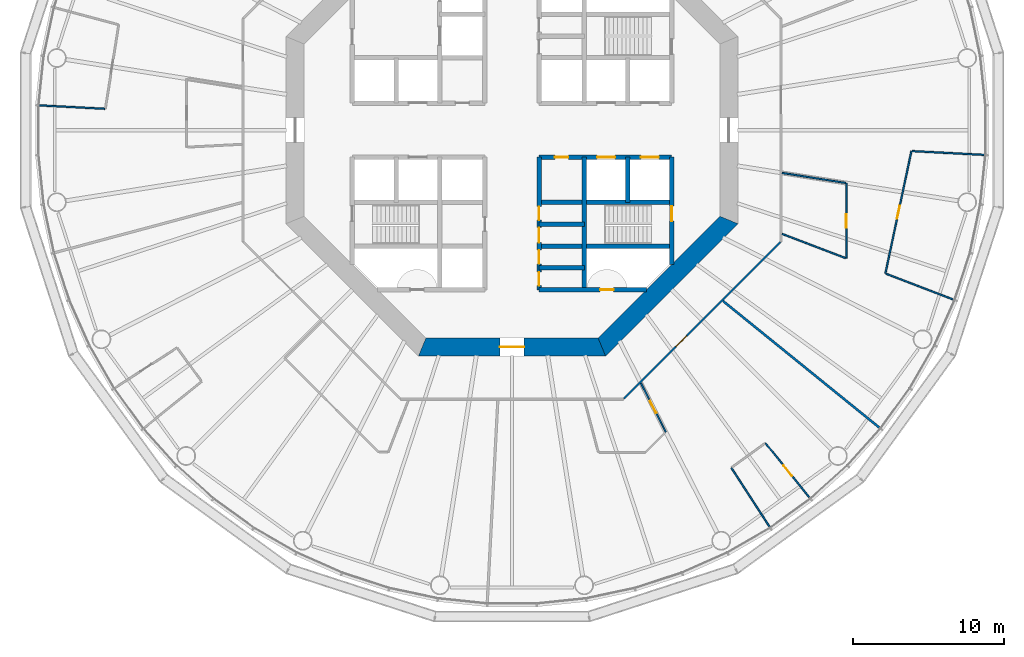
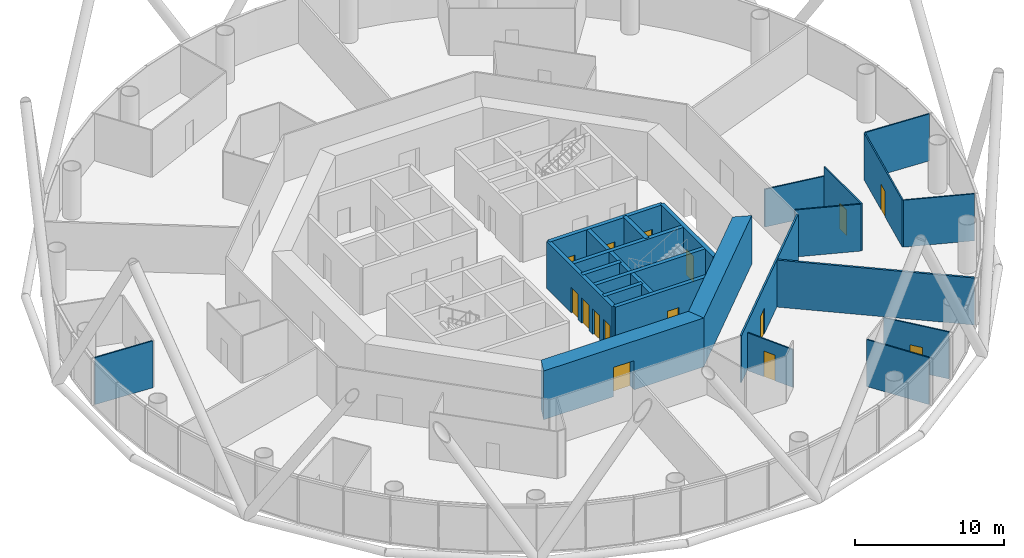
# One storey, part 4 of 14: 24 walls, 15 doors, 15 openings.
"""IFC4 building model written with IfcOpenShell, lengths in metres."""

from ifc_helpers import new_model, si_unit, direction, frame, frame_2d, origin, place, context, subcontext, project, spatial, polyline, rectangle, outline, extrude, material, layer, layer_set, type_object, element, fill, save


model = new_model("IFC4")

# Units and contexts
model_context = context("Model", 3, precision=1e-05, world=origin(), true_north=direction((0.0, 1.0)))
body_context = subcontext(model_context, "Body", "Model", "MODEL_VIEW")
ifc_project = project(units=[si_unit("LENGTHUNIT", "METRE"), si_unit("AREAUNIT", "SQUARE_METRE"), si_unit("VOLUMEUNIT", "CUBIC_METRE"), si_unit("PLANEANGLEUNIT", "RADIAN"), si_unit("MASSUNIT", "GRAM", prefix="KILO")], contexts=[model_context])

# Site, building, storey
site_placement = place(None, origin())
site = spatial("IfcSite", under=ifc_project, at=site_placement, CompositionType="ELEMENT")
building_placement = place(site_placement, origin())
building = spatial("IfcBuilding", under=site, at=building_placement, Name="Entoto Ring Tower", CompositionType="ELEMENT")
storey_placement = place(building_placement, frame((0.0, 0.0, 80.0)))
storey = spatial("IfcBuildingStorey", under=building, at=storey_placement, Name="L17", CompositionType="ELEMENT", Elevation=80.0)

# Wall, opening, door
ifc_material_1 = material(Name="Concrete C40/50", Category="concrete")
ifc_layer_1 = layer(ifc_material_1, 0.300048828125)
ifc_layer_set_1 = layer_set([ifc_layer_1], Name="Concrete C40/50")
wall_type_1 = type_object("IfcWallType", Name="Core enclosure wall 300 mm reinforced concrete", PredefinedType="SOLIDWALL", material=ifc_layer_set_1)
wall_1_placement = place(storey_placement, frame((100.60009765625, 71.083984375, 0.0), z_axis=(0.0, 0.0, 1.0), x_axis=(0.0, 1.0, 0.0)))
wall_1 = element("IfcWall", 1, at=wall_1_placement, inside=storey, type_object=wall_type_1, Name="wall-L17-001", PredefinedType="SOLIDWALL", context=body_context, shape_type="SweptSolid", body=[
    extrude(rectangle(XDim=7.115966796875, YDim=0.300048828125, at=frame_2d((3.55810546875, 0.0))), origin(), (0.0, 0.0, 1.0), 3.85009765625),
])
opening_1_placement = place(wall_1_placement, frame((2.8662109375, 0.0, 0.0)))
opening_1 = element("IfcOpeningElement", 2, at=opening_1_placement, cuts=wall_1, Name="Opening K-22", PredefinedType="OPENING", context=body_context, shape_type="SweptSolid", body=[
    extrude(rectangle(XDim=1.0, YDim=2.10009765625, at=frame_2d((0.5, 1.050048828125))), frame((0.0, 0.16015625, 0.0), z_axis=(0.0, -1.0, 0.0), x_axis=(1.0, 0.0, 0.0)), (0.0, 0.0, 1.0), 0.320068359375),
])
ifc_material_2 = material(Name="Steel door leaf, fire rated", Category="steel")
ifc_layer_2 = layer(ifc_material_2, 0.050048828125)
ifc_layer_set_2 = layer_set([ifc_layer_2], Name="Steel door leaf, fire rated")
door_type_1 = type_object("IfcDoorType", Name="Fire door FD60 1000 x 2100 single leaf", OperationType="NOTDEFINED", PredefinedType="DOOR", material=ifc_layer_set_2)
door_1_placement = place(opening_1_placement, origin())
door_1 = element("IfcDoor", 3, at=door_1_placement, inside=storey, type_object=door_type_1, Name="Door K-22", OperationType="SINGLE_SWING_RIGHT", OverallHeight=2.10009765625, OverallWidth=1.0, PredefinedType="DOOR", context=body_context, shape_type="SweptSolid", body=[
    extrude(rectangle(XDim=1.0, YDim=2.10009765625, at=frame_2d((0.5, 1.050048828125))), frame((0.0, 0.02490234375, 0.0), z_axis=(0.0, -1.0, 0.0), x_axis=(1.0, 0.0, 0.0)), (0.0, 0.0, 1.0), 0.050048828125),
])
fill(opening_1, door_1)

# Walls
wall_2_placement = place(storey_placement, frame((97.699951171875, 75.199951171875, 0.0), z_axis=(0.0, 0.0, 1.0), x_axis=(0.0, 1.0, 0.0)))
element("IfcWall", 4, at=wall_2_placement, inside=storey, type_object=wall_type_1, Name="wall-L17-003", PredefinedType="SOLIDWALL", context=body_context, shape_type="SweptSolid", body=[
    extrude(rectangle(XDim=3.0, YDim=0.300048828125, at=frame_2d((1.5, 0.0))), origin(), (0.0, 0.0, 1.0), 3.85009765625),
])
wall_3_placement = place(storey_placement, frame((94.800048828125, 69.39990234375, 0.0), z_axis=(0.0, 0.0, 1.0), x_axis=(0.0, 1.0, 0.0)))
element("IfcWall", 5, at=wall_3_placement, inside=storey, type_object=wall_type_1, Name="wall-L17-005", PredefinedType="SOLIDWALL", context=body_context, shape_type="SweptSolid", body=[
    extrude(rectangle(XDim=8.800048828125, YDim=0.300048828125, at=frame_2d((4.39990234375, 0.0))), origin(), (0.0, 0.0, 1.0), 3.85009765625),
])

# Wall, openings, doors
wall_4_placement = place(storey_placement, frame((91.800048828125, 69.39990234375, 0.0), z_axis=(0.0, 0.0, 1.0), x_axis=(0.0, 1.0, 0.0)))
wall_4 = element("IfcWall", 6, at=wall_4_placement, inside=storey, type_object=wall_type_1, Name="wall-L17-007", PredefinedType="SOLIDWALL", context=body_context, shape_type="SweptSolid", body=[
    extrude(rectangle(XDim=8.800048828125, YDim=0.300048828125, at=frame_2d((4.39990234375, 0.0))), origin(), (0.0, 0.0, 1.0), 3.85009765625),
])
opening_2_placement = place(wall_4_placement, frame((3.125, 0.0, 0.0)))
opening_2 = element("IfcOpeningElement", 7, at=opening_2_placement, cuts=wall_4, Name="Opening K-13", PredefinedType="OPENING", context=body_context, shape_type="SweptSolid", body=[
    extrude(rectangle(XDim=1.0, YDim=2.10009765625, at=frame_2d((0.5, 1.050048828125))), frame((0.0, 0.16015625, 0.0), z_axis=(0.0, -1.0, 0.0), x_axis=(1.0, 0.0, 0.0)), (0.0, 0.0, 1.0), 0.320068359375),
])
opening_3_placement = place(wall_4_placement, frame((4.625, 0.0, 0.0)))
opening_3 = element("IfcOpeningElement", 8, at=opening_3_placement, cuts=wall_4, Name="Opening K-14", PredefinedType="OPENING", context=body_context, shape_type="SweptSolid", body=[
    extrude(rectangle(XDim=0.89990234375, YDim=2.10009765625, at=frame_2d((0.449951171875, 1.050048828125))), frame((0.0, 0.16015625, 0.0), z_axis=(0.0, -1.0, 0.0), x_axis=(1.0, 0.0, 0.0)), (0.0, 0.0, 1.0), 0.320068359375),
])
opening_4_placement = place(wall_4_placement, frame((0.27490234375, 0.0, 0.0)))
opening_4 = element("IfcOpeningElement", 9, at=opening_4_placement, cuts=wall_4, Name="Opening K-15", PredefinedType="OPENING", context=body_context, shape_type="SweptSolid", body=[
    extrude(rectangle(XDim=0.89990234375, YDim=2.10009765625, at=frame_2d((0.449951171875, 1.050048828125))), frame((0.0, 0.16015625, 0.0), z_axis=(0.0, -1.0, 0.0), x_axis=(1.0, 0.0, 0.0)), (0.0, 0.0, 1.0), 0.320068359375),
])
opening_5_placement = place(wall_4_placement, frame((1.72509765625, 0.0, 0.0)))
opening_5 = element("IfcOpeningElement", 10, at=opening_5_placement, cuts=wall_4, Name="Opening K-16", PredefinedType="OPENING", context=body_context, shape_type="SweptSolid", body=[
    extrude(rectangle(XDim=0.89990234375, YDim=2.10009765625, at=frame_2d((0.449951171875, 1.050048828125))), frame((0.0, 0.16015625, 0.0), z_axis=(0.0, -1.0, 0.0), x_axis=(1.0, 0.0, 0.0)), (0.0, 0.0, 1.0), 0.320068359375),
])
ifc_material_3 = material(Name="Steel door leaf, fire rated", Category="steel")
ifc_layer_3 = layer(ifc_material_3, 0.050048828125)
ifc_layer_set_3 = layer_set([ifc_layer_3], Name="Steel door leaf, fire rated")
door_type_2 = type_object("IfcDoorType", Name="Accessible door 1000 x 2100 single leaf", OperationType="NOTDEFINED", PredefinedType="DOOR", material=ifc_layer_set_3)
door_2_placement = place(opening_2_placement, frame((1.0, 0.0, 0.0), z_axis=(0.0, 0.0, 1.0), x_axis=(-1.0, 0.0, 0.0)))
door_2 = element("IfcDoor", 11, at=door_2_placement, inside=storey, type_object=door_type_2, Name="Door K-13", OperationType="SINGLE_SWING_LEFT", OverallHeight=2.10009765625, OverallWidth=1.0, PredefinedType="DOOR", context=body_context, shape_type="SweptSolid", body=[
    extrude(rectangle(XDim=1.0, YDim=2.10009765625, at=frame_2d((0.5, 1.050048828125))), frame((0.0, 0.02490234375, 0.0), z_axis=(0.0, -1.0, 0.0), x_axis=(1.0, 0.0, 0.0)), (0.0, 0.0, 1.0), 0.050048828125),
])
fill(opening_2, door_2)
ifc_material_4 = material(Name="Steel door leaf, fire rated", Category="steel")
ifc_layer_4 = layer(ifc_material_4, 0.050048828125)
ifc_layer_set_4 = layer_set([ifc_layer_4], Name="Steel door leaf, fire rated")
door_type_3 = type_object("IfcDoorType", Name="Core door 900 x 2100 single leaf", OperationType="NOTDEFINED", PredefinedType="DOOR", material=ifc_layer_set_4)
door_3_placement = place(opening_3_placement, frame((0.89990234375, 0.0, 0.0), z_axis=(0.0, 0.0, 1.0), x_axis=(-1.0, 0.0, 0.0)))
door_3 = element("IfcDoor", 12, at=door_3_placement, inside=storey, type_object=door_type_3, Name="Door K-14", OperationType="SINGLE_SWING_LEFT", OverallHeight=2.10009765625, OverallWidth=0.89990234375, PredefinedType="DOOR", context=body_context, shape_type="SweptSolid", body=[
    extrude(rectangle(XDim=0.89990234375, YDim=2.10009765625, at=frame_2d((0.449951171875, 1.050048828125))), frame((0.0, 0.02490234375, 0.0), z_axis=(0.0, -1.0, 0.0), x_axis=(1.0, 0.0, 0.0)), (0.0, 0.0, 1.0), 0.050048828125),
])
fill(opening_3, door_3)
door_4_placement = place(opening_4_placement, frame((0.89990234375, 0.0, 0.0), z_axis=(0.0, 0.0, 1.0), x_axis=(-1.0, 0.0, 0.0)))
door_4 = element("IfcDoor", 13, at=door_4_placement, inside=storey, type_object=door_type_3, Name="Door K-15", OperationType="SINGLE_SWING_LEFT", OverallHeight=2.10009765625, OverallWidth=0.89990234375, PredefinedType="DOOR", context=body_context, shape_type="SweptSolid", body=[
    extrude(rectangle(XDim=0.89990234375, YDim=2.10009765625, at=frame_2d((0.449951171875, 1.050048828125))), frame((0.0, 0.02490234375, 0.0), z_axis=(0.0, -1.0, 0.0), x_axis=(1.0, 0.0, 0.0)), (0.0, 0.0, 1.0), 0.050048828125),
])
fill(opening_4, door_4)
door_5_placement = place(opening_5_placement, frame((0.89990234375, 0.0, 0.0), z_axis=(0.0, 0.0, 1.0), x_axis=(-1.0, 0.0, 0.0)))
door_5 = element("IfcDoor", 14, at=door_5_placement, inside=storey, type_object=door_type_3, Name="Door K-16", OperationType="SINGLE_SWING_LEFT", OverallHeight=2.10009765625, OverallWidth=0.89990234375, PredefinedType="DOOR", context=body_context, shape_type="SweptSolid", body=[
    extrude(rectangle(XDim=0.89990234375, YDim=2.10009765625, at=frame_2d((0.449951171875, 1.050048828125))), frame((0.0, 0.02490234375, 0.0), z_axis=(0.0, -1.0, 0.0), x_axis=(1.0, 0.0, 0.0)), (0.0, 0.0, 1.0), 0.050048828125),
])
fill(opening_5, door_5)

# Wall, opening, door
wall_5_placement = place(storey_placement, frame((91.800048828125, 69.39990234375, 0.0), z_axis=(0.0, 0.0, 1.0), x_axis=(1.0, 0.0, 0.0)))
wall_5 = element("IfcWall", 15, at=wall_5_placement, inside=storey, type_object=wall_type_1, Name="wall-L17-018", PredefinedType="SOLIDWALL", context=body_context, shape_type="SweptSolid", body=[
    extrude(rectangle(XDim=7.115966796875, YDim=0.300048828125, at=frame_2d((3.55810546875, 0.0))), origin(), (0.0, 0.0, 1.0), 3.85009765625),
])
opening_6_placement = place(wall_5_placement, frame((4.050048828125, 0.0, 0.0)))
opening_6 = element("IfcOpeningElement", 16, at=opening_6_placement, cuts=wall_5, Name="Opening K-75", PredefinedType="OPENING", context=body_context, shape_type="SweptSolid", body=[
    extrude(rectangle(XDim=0.89990234375, YDim=2.10009765625, at=frame_2d((0.449951171875, 1.050048828125))), frame((0.0, 0.16015625, 0.0), z_axis=(0.0, -1.0, 0.0), x_axis=(1.0, 0.0, 0.0)), (0.0, 0.0, 1.0), 0.320068359375),
])
ifc_material_5 = material(Name="Steel door leaf, fire rated", Category="steel")
ifc_layer_5 = layer(ifc_material_5, 0.050048828125)
ifc_layer_set_5 = layer_set([ifc_layer_5], Name="Steel door leaf, fire rated")
door_type_4 = type_object("IfcDoorType", Name="Riser door FD60 900 x 2100 single leaf", OperationType="NOTDEFINED", PredefinedType="DOOR", material=ifc_layer_set_5)
door_6_placement = place(opening_6_placement, origin())
door_6 = element("IfcDoor", 17, at=door_6_placement, inside=storey, type_object=door_type_4, Name="Door K-75", OperationType="SINGLE_SWING_LEFT", OverallHeight=2.10009765625, OverallWidth=0.89990234375, PredefinedType="DOOR", context=body_context, shape_type="SweptSolid", body=[
    extrude(rectangle(XDim=0.89990234375, YDim=2.10009765625, at=frame_2d((0.449951171875, 1.050048828125))), frame((0.0, 0.02490234375, 0.0), z_axis=(0.0, -1.0, 0.0), x_axis=(1.0, 0.0, 0.0)), (0.0, 0.0, 1.0), 0.050048828125),
])
fill(opening_6, door_6)

# Walls
wall_6_placement = place(storey_placement, frame((91.800048828125, 70.85009765625, 0.0), z_axis=(0.0, 0.0, 1.0), x_axis=(1.0, 0.0, 0.0)))
element("IfcWall", 18, at=wall_6_placement, inside=storey, type_object=wall_type_1, Name="wall-L17-019", PredefinedType="SOLIDWALL", context=body_context, shape_type="SweptSolid", body=[
    extrude(rectangle(XDim=3.0, YDim=0.300048828125, at=frame_2d((1.5, 0.0))), origin(), (0.0, 0.0, 1.0), 3.85009765625),
])
wall_7_placement = place(storey_placement, frame((91.800048828125, 72.300048828125, 0.0), z_axis=(0.0, 0.0, 1.0), x_axis=(1.0, 0.0, 0.0)))
element("IfcWall", 19, at=wall_7_placement, inside=storey, type_object=wall_type_1, Name="wall-L17-021", PredefinedType="SOLIDWALL", context=body_context, shape_type="SweptSolid", body=[
    extrude(rectangle(XDim=8.800048828125, YDim=0.300048828125, at=frame_2d((4.39990234375, 0.0))), origin(), (0.0, 0.0, 1.0), 3.85009765625),
])
wall_8_placement = place(storey_placement, frame((91.800048828125, 73.75, 0.0), z_axis=(0.0, 0.0, 1.0), x_axis=(1.0, 0.0, 0.0)))
element("IfcWall", 20, at=wall_8_placement, inside=storey, type_object=wall_type_1, Name="wall-L17-022", PredefinedType="SOLIDWALL", context=body_context, shape_type="SweptSolid", body=[
    extrude(rectangle(XDim=3.0, YDim=0.300048828125, at=frame_2d((1.5, 0.0))), origin(), (0.0, 0.0, 1.0), 3.85009765625),
])
wall_9_placement = place(storey_placement, frame((91.800048828125, 75.199951171875, 0.0), z_axis=(0.0, 0.0, 1.0), x_axis=(1.0, 0.0, 0.0)))
element("IfcWall", 21, at=wall_9_placement, inside=storey, type_object=wall_type_1, Name="wall-L17-024", PredefinedType="SOLIDWALL", context=body_context, shape_type="SweptSolid", body=[
    extrude(rectangle(XDim=8.800048828125, YDim=0.300048828125, at=frame_2d((4.39990234375, 0.0))), origin(), (0.0, 0.0, 1.0), 3.85009765625),
])

# Wall, openings, doors
wall_10_placement = place(storey_placement, frame((91.800048828125, 78.199951171875, 0.0), z_axis=(0.0, 0.0, 1.0), x_axis=(1.0, 0.0, 0.0)))
wall_10 = element("IfcWall", 22, at=wall_10_placement, inside=storey, type_object=wall_type_1, Name="wall-L17-026", PredefinedType="SOLIDWALL", context=body_context, shape_type="SweptSolid", body=[
    extrude(rectangle(XDim=8.800048828125, YDim=0.300048828125, at=frame_2d((4.39990234375, 0.0))), origin(), (0.0, 0.0, 1.0), 3.85009765625),
])
opening_7_placement = place(wall_10_placement, frame((3.85009765625, 0.0, 0.0)))
opening_7 = element("IfcOpeningElement", 23, at=opening_7_placement, cuts=wall_10, Name="Opening LD", PredefinedType="OPENING", context=body_context, shape_type="SweptSolid", body=[
    extrude(rectangle(XDim=1.199951171875, YDim=2.10009765625, at=frame_2d((0.60009765625, 1.050048828125))), frame((0.0, 0.16015625, 0.0), z_axis=(0.0, -1.0, 0.0), x_axis=(1.0, 0.0, 0.0)), (0.0, 0.0, 1.0), 0.320068359375),
])
opening_8_placement = place(wall_10_placement, frame((6.75, 0.0, 0.0)))
opening_8 = element("IfcOpeningElement", 24, at=opening_8_placement, cuts=wall_10, Name="Opening LD", PredefinedType="OPENING", context=body_context, shape_type="SweptSolid", body=[
    extrude(rectangle(XDim=1.199951171875, YDim=2.10009765625, at=frame_2d((0.60009765625, 1.050048828125))), frame((0.0, 0.16015625, 0.0), z_axis=(0.0, -1.0, 0.0), x_axis=(1.0, 0.0, 0.0)), (0.0, 0.0, 1.0), 0.320068359375),
])
opening_9_placement = place(wall_10_placement, frame((1.050048828125, 0.0, 0.0)))
opening_9 = element("IfcOpeningElement", 25, at=opening_9_placement, cuts=wall_10, Name="Opening K-19", PredefinedType="OPENING", context=body_context, shape_type="SweptSolid", body=[
    extrude(rectangle(XDim=0.89990234375, YDim=2.10009765625, at=frame_2d((0.449951171875, 1.050048828125))), frame((0.0, 0.16015625, 0.0), z_axis=(0.0, -1.0, 0.0), x_axis=(1.0, 0.0, 0.0)), (0.0, 0.0, 1.0), 0.320068359375),
])
door_7_placement = place(opening_9_placement, frame((0.89990234375, 0.0, 0.0), z_axis=(0.0, 0.0, 1.0), x_axis=(-1.0, 0.0, 0.0)))
door_7 = element("IfcDoor", 26, at=door_7_placement, inside=storey, type_object=door_type_3, Name="Door K-19", OperationType="SINGLE_SWING_RIGHT", OverallHeight=2.10009765625, OverallWidth=0.89990234375, PredefinedType="DOOR", context=body_context, shape_type="SweptSolid", body=[
    extrude(rectangle(XDim=0.89990234375, YDim=2.10009765625, at=frame_2d((0.449951171875, 1.050048828125))), frame((0.0, 0.02490234375, 0.0), z_axis=(0.0, -1.0, 0.0), x_axis=(1.0, 0.0, 0.0)), (0.0, 0.0, 1.0), 0.050048828125),
])
fill(opening_9, door_7)
ifc_material_6 = material(Name="Steel and glass door leaf", Category="steel")
ifc_layer_6 = layer(ifc_material_6, 0.050048828125)
ifc_layer_set_6 = layer_set([ifc_layer_6], Name="Steel and glass door leaf")
door_type_5 = type_object("IfcDoorType", Name="Landing door 1200 x 2100 sliding", OperationType="DOUBLE_DOOR_SLIDING", PredefinedType="DOOR", material=ifc_layer_set_6)
door_8_placement = place(opening_7_placement, origin())
door_8 = element("IfcDoor", 27, at=door_8_placement, inside=storey, type_object=door_type_5, Name="Landing door LB4-LR", OperationType="SLIDING_TO_RIGHT", OverallHeight=2.10009765625, OverallWidth=1.199951171875, PredefinedType="DOOR", context=body_context, shape_type="SweptSolid", body=[
    extrude(rectangle(XDim=1.199951171875, YDim=2.10009765625, at=frame_2d((0.60009765625, 1.050048828125))), frame((0.0, 0.02490234375, 0.0), z_axis=(0.0, -1.0, 0.0), x_axis=(1.0, 0.0, 0.0)), (0.0, 0.0, 1.0), 0.050048828125),
])
fill(opening_7, door_8)
door_9_placement = place(opening_8_placement, origin())
door_9 = element("IfcDoor", 28, at=door_9_placement, inside=storey, type_object=door_type_5, Name="Landing door LB5-LR", OperationType="SLIDING_TO_RIGHT", OverallHeight=2.10009765625, OverallWidth=1.199951171875, PredefinedType="DOOR", context=body_context, shape_type="SweptSolid", body=[
    extrude(rectangle(XDim=1.199951171875, YDim=2.10009765625, at=frame_2d((0.60009765625, 1.050048828125))), frame((0.0, 0.02490234375, 0.0), z_axis=(0.0, -1.0, 0.0), x_axis=(1.0, 0.0, 0.0)), (0.0, 0.0, 1.0), 0.050048828125),
])
fill(opening_8, door_9)

# Wall, opening, door
ifc_material_7 = material(Name="Concrete C60/75", Category="concrete")
ifc_layer_7 = layer(ifc_material_7, 1.199951171875)
ifc_layer_set_7 = layer_set([ifc_layer_7], Name="Concrete C60/75")
wall_type_2 = type_object("IfcWallType", Name="Core shear wall 1200 mm reinforced concrete C60/75", PredefinedType="SHEAR", material=ifc_layer_set_7)
wall_11_placement = place(storey_placement, frame((84.035400390625, 65.60009765625, 0.0), z_axis=(0.0, 0.0, 1.0), x_axis=(1.0, 0.0, 0.0)))
wall_11 = element("IfcWall", 29, at=wall_11_placement, inside=storey, type_object=wall_type_2, Name="wall-L17-core-6", PredefinedType="SHEAR", context=body_context, shape_type="SweptSolid", body=[
    extrude(outline(polyline([(-0.24853515625, -0.60009765625), (12.177734375, -0.60009765625), (11.6806640625, 0.60009765625), (0.24853515625, 0.60009765625), (-0.24853515625, -0.60009765625)])), origin(), (0.0, 0.0, 1.0), 4.0),
])
opening_10_placement = place(wall_11_placement, frame((5.164794921875, 0.0, 0.0)))
opening_10 = element("IfcOpeningElement", 30, at=opening_10_placement, cuts=wall_11, Name="Opening K-04", PredefinedType="OPENING", context=body_context, shape_type="SweptSolid", body=[
    extrude(rectangle(XDim=1.60009765625, YDim=2.39990234375, at=frame_2d((0.800048828125, 1.199951171875))), frame((0.0, 0.60986328125, 0.0), z_axis=(0.0, -1.0, 0.0), x_axis=(1.0, 0.0, 0.0)), (0.0, 0.0, 1.0), 1.219970703125),
])
ifc_material_8 = material(Name="Steel door leaf, fire rated", Category="steel")
ifc_layer_8 = layer(ifc_material_8, 0.050048828125)
ifc_layer_set_8 = layer_set([ifc_layer_8], Name="Steel door leaf, fire rated")
door_type_6 = type_object("IfcDoorType", Name="Entrance door FD60 1600 x 2400 double leaf", OperationType="DOUBLE_DOOR_SINGLE_SWING", PredefinedType="DOOR", material=ifc_layer_set_8)
door_10_placement = place(opening_10_placement, origin())
door_10 = element("IfcDoor", 31, at=door_10_placement, inside=storey, type_object=door_type_6, Name="Entrance door K-04", OperationType="DOUBLE_DOOR_SINGLE_SWING", OverallHeight=2.39990234375, OverallWidth=1.60009765625, PredefinedType="DOOR", context=body_context, shape_type="SweptSolid", body=[
    extrude(rectangle(XDim=1.60009765625, YDim=2.39990234375, at=frame_2d((0.800048828125, 1.199951171875))), frame((0.0, 0.02490234375, 0.0), z_axis=(0.0, -1.0, 0.0), x_axis=(1.0, 0.0, 0.0)), (0.0, 0.0, 1.0), 0.050048828125),
])
fill(opening_10, door_10)

# Wall
wall_12_placement = place(storey_placement, frame((95.964599609375, 65.60009765625, 0.0), z_axis=(0.0, 0.0, 1.0), x_axis=(0.707106781187, 0.707106781187, 0.0)))
element("IfcWall", 32, at=wall_12_placement, inside=storey, type_object=wall_type_2, Name="wall-L17-core-7", PredefinedType="SHEAR", context=body_context, shape_type="SweptSolid", body=[
    extrude(outline(polyline([(-0.24853515625, -0.60009765625), (12.177734375, -0.60009765625), (11.6806640625, 0.60009765625), (0.24853515625, 0.60009765625), (-0.24853515625, -0.60009765625)])), origin(), (0.0, 0.0, 1.0), 4.0),
])

# Wall, opening, door
ifc_material_9 = material(Name="Fire-resisting plasterboard on steel studs", Category="steel")
ifc_layer_9 = layer(ifc_material_9, 0.125)
ifc_layer_set_9 = layer_set([ifc_layer_9], Name="Fire-resisting plasterboard on steel studs")
wall_type_3 = type_object("IfcWallType", Name="Corridor wall 125 mm one-hour plasterboard on steel studs", PredefinedType="PARTITIONING", material=ifc_layer_set_9)
wall_13_placement = place(storey_placement, frame((97.429931640625, 62.168701171875, 0.0), z_axis=(0.0, 0.0, 1.0), x_axis=(0.707106781187, 0.707106781187, 0.0)))
wall_13 = element("IfcWall", 33, at=wall_13_placement, inside=storey, type_object=wall_type_3, Name="partition-L17-007", PredefinedType="PARTITIONING", context=body_context, shape_type="SweptSolid", body=[
    extrude(rectangle(XDim=14.709716796875, YDim=0.125, at=frame_2d((7.35498046875, 0.0))), origin(), (0.0, 0.0, 1.0), 3.85009765625),
])
opening_11_placement = place(wall_13_placement, frame((4.8916015625, 0.0, 0.0)))
opening_11 = element("IfcOpeningElement", 34, at=opening_11_placement, cuts=wall_13, Name="Opening A08-D16", PredefinedType="OPENING", context=body_context, shape_type="SweptSolid", body=[
    extrude(rectangle(XDim=1.0, YDim=2.10009765625, at=frame_2d((0.5, 1.050048828125))), frame((0.0, 0.072509765625, 0.0), z_axis=(0.0, -1.0, 0.0), x_axis=(1.0, 0.0, 0.0)), (0.0, 0.0, 1.0), 0.14501953125),
])
ifc_material_10 = material(Name="Fire-resisting timber door set", Category="wood")
door_type_7 = type_object("IfcDoorType", Name="Door 1000 x 2100 single leaf FD30S fire door", OperationType="NOTDEFINED", PredefinedType="DOOR", material=ifc_material_10)
door_11_placement = place(opening_11_placement, frame((1.0, 0.0, 0.0), z_axis=(0.0, 0.0, 1.0), x_axis=(-1.0, 0.0, 0.0)))
door_11 = element("IfcDoor", 35, at=door_11_placement, inside=storey, type_object=door_type_7, Name="Door A08-D16", OperationType="SINGLE_SWING_LEFT", OverallHeight=2.10009765625, OverallWidth=1.0, PredefinedType="DOOR", context=body_context, shape_type="SweptSolid", body=[
    extrude(rectangle(XDim=1.0, YDim=2.10009765625, at=frame_2d((0.5, 1.050048828125))), frame((0.0, 0.02490234375, 0.0), z_axis=(0.0, -1.0, 0.0), x_axis=(1.0, 0.0, 0.0)), (0.0, 0.0, 1.0), 0.050048828125),
])
fill(opening_11, door_11)

ifc_material_11 = material(Name="Plasterboard on steel studs", Category="steel")
ifc_layer_10 = layer(ifc_material_11, 0.10009765625)
ifc_layer_set_10 = layer_set([ifc_layer_10], Name="Plasterboard on steel studs")
wall_type_4 = type_object("IfcWallType", Name="Partition 100 mm plasterboard on steel studs", PredefinedType="PARTITIONING", material=ifc_layer_set_10)
wall_14_placement = place(storey_placement, frame((114.7958984375, 70.481689453125, 0.0), z_axis=(0.0, 0.0, 1.0), x_axis=(0.207915677691, 0.978146753289, 0.0)))
wall_14 = element("IfcWall", 36, at=wall_14_placement, inside=storey, type_object=wall_type_4, Name="partition-L17-018", PredefinedType="PARTITIONING", context=body_context, shape_type="SweptSolid", body=[
    extrude(rectangle(XDim=8.31005859375, YDim=0.10009765625, at=frame_2d((4.155029296875, 0.0))), origin(), (0.0, 0.0, 1.0), 3.85009765625),
])
opening_12_placement = place(wall_14_placement, frame((3.704833984375, 0.0, 0.0)))
opening_12 = element("IfcOpeningElement", 37, at=opening_12_placement, cuts=wall_14, Name="Opening A08-D03", PredefinedType="OPENING", context=body_context, shape_type="SweptSolid", body=[
    extrude(rectangle(XDim=0.89990234375, YDim=2.10009765625, at=frame_2d((0.449951171875, 1.050048828125))), frame((0.0, 0.06005859375, 0.0), z_axis=(0.0, -1.0, 0.0), x_axis=(1.0, 0.0, 0.0)), (0.0, 0.0, 1.0), 0.1201171875),
])
ifc_material_12 = material(Name="Veneered timber door leaf in timber frame", Category="wood")
door_type_8 = type_object("IfcDoorType", Name="Door 900 x 2100 single leaf timber veneer", OperationType="NOTDEFINED", PredefinedType="DOOR", material=ifc_material_12)
door_12_placement = place(opening_12_placement, frame((0.89990234375, 0.0, 0.0), z_axis=(0.0, 0.0, 1.0), x_axis=(-1.0, 0.0, 0.0)))
door_12 = element("IfcDoor", 38, at=door_12_placement, inside=storey, type_object=door_type_8, Name="Door A08-D03", OperationType="SINGLE_SWING_RIGHT", OverallHeight=2.10009765625, OverallWidth=0.89990234375, PredefinedType="DOOR", context=body_context, shape_type="SweptSolid", body=[
    extrude(rectangle(XDim=0.89990234375, YDim=2.10009765625, at=frame_2d((0.449951171875, 1.050048828125))), frame((0.0, 0.02490234375, 0.0), z_axis=(0.0, -1.0, 0.0), x_axis=(1.0, 0.0, 0.0)), (0.0, 0.0, 1.0), 0.050048828125),
])
fill(opening_12, door_12)

wall_15_placement = place(storey_placement, frame((112.202392578125, 71.477294921875, 0.0), z_axis=(0.0, 0.0, 1.0), x_axis=(0.0, 1.0, 0.0)))
wall_15 = element("IfcWall", 39, at=wall_15_placement, inside=storey, type_object=wall_type_4, Name="partition-L17-021", PredefinedType="PARTITIONING", context=body_context, shape_type="SweptSolid", body=[
    extrude(rectangle(XDim=5.006103515625, YDim=0.10009765625, at=frame_2d((2.5029296875, 0.0))), origin(), (0.0, 0.0, 1.0), 3.85009765625),
])
opening_13_placement = place(wall_15_placement, frame((2.052978515625, 0.0, 0.0)))
opening_13 = element("IfcOpeningElement", 40, at=opening_13_placement, cuts=wall_15, Name="Opening A08-D02", PredefinedType="OPENING", context=body_context, shape_type="SweptSolid", body=[
    extrude(rectangle(XDim=0.89990234375, YDim=2.10009765625, at=frame_2d((0.449951171875, 1.050048828125))), frame((0.0, 0.06005859375, 0.0), z_axis=(0.0, -1.0, 0.0), x_axis=(1.0, 0.0, 0.0)), (0.0, 0.0, 1.0), 0.1201171875),
])
door_13_placement = place(opening_13_placement, origin())
door_13 = element("IfcDoor", 41, at=door_13_placement, inside=storey, type_object=door_type_8, Name="Door A08-D02", OperationType="SINGLE_SWING_LEFT", OverallHeight=2.10009765625, OverallWidth=0.89990234375, PredefinedType="DOOR", context=body_context, shape_type="SweptSolid", body=[
    extrude(rectangle(XDim=0.89990234375, YDim=2.10009765625, at=frame_2d((0.449951171875, 1.050048828125))), frame((0.0, 0.02490234375, 0.0), z_axis=(0.0, -1.0, 0.0), x_axis=(1.0, 0.0, 0.0)), (0.0, 0.0, 1.0), 0.050048828125),
])
fill(opening_13, door_13)

# Walls
for number, where, z_axis, x_axis, name in (
    (42, (121.39697265625, 78.3544921875, 0.0), (0.0, 0.0, 1.0), (-0.998628419146, 0.05235723898, 0.0), "partition-L17-024"),
    (43, (119.351806640625, 68.73291015625, 0.0), (0.0, 0.0, 1.0), (-0.933582460858, 0.35836264981, 0.0), "partition-L17-025"),
):
    element("IfcWall", number, at=place(storey_placement, frame(where, z_axis=z_axis, x_axis=x_axis)), inside=storey, type_object=wall_type_4, Name=name, PredefinedType="PARTITIONING", context=body_context, shape_type="SweptSolid", body=[
        extrude(rectangle(XDim=4.830810546875, YDim=0.10009765625, at=frame_2d((2.41552734375, 0.0))), origin(), (0.0, 0.0, 1.0), 3.85009765625),
    ])

# Wall, opening, door
wall_16_placement = place(storey_placement, frame((109.785888671875, 55.56640625, 0.0), z_axis=(0.0, 0.0, 1.0), x_axis=(-0.629346149209, 0.777125102204, 0.0)))
wall_16 = element("IfcWall", 44, at=wall_16_placement, inside=storey, type_object=wall_type_4, Name="partition-L17-026", PredefinedType="PARTITIONING", context=body_context, shape_type="SweptSolid", body=[
    extrude(rectangle(XDim=4.7001953125, YDim=0.10009765625, at=frame_2d((2.35009765625, 0.0))), origin(), (0.0, 0.0, 1.0), 3.85009765625),
])
opening_14_placement = place(wall_16_placement, frame((1.89990234375, 0.0, 0.0)))
opening_14 = element("IfcOpeningElement", 45, at=opening_14_placement, cuts=wall_16, Name="Opening A08-D18", PredefinedType="OPENING", context=body_context, shape_type="SweptSolid", body=[
    extrude(rectangle(XDim=0.89990234375, YDim=2.10009765625, at=frame_2d((0.449951171875, 1.050048828125))), frame((0.0, 0.06005859375, 0.0), z_axis=(0.0, -1.0, 0.0), x_axis=(1.0, 0.0, 0.0)), (0.0, 0.0, 1.0), 0.1201171875),
])
door_14_placement = place(opening_14_placement, origin())
door_14 = element("IfcDoor", 46, at=door_14_placement, inside=storey, type_object=door_type_8, Name="Door A08-D18", OperationType="SINGLE_SWING_LEFT", OverallHeight=2.10009765625, OverallWidth=0.89990234375, PredefinedType="DOOR", context=body_context, shape_type="SweptSolid", body=[
    extrude(rectangle(XDim=0.89990234375, YDim=2.10009765625, at=frame_2d((0.449951171875, 1.050048828125))), frame((0.0, 0.02490234375, 0.0), z_axis=(0.0, -1.0, 0.0), x_axis=(1.0, 0.0, 0.0)), (0.0, 0.0, 1.0), 0.050048828125),
])
fill(opening_14, door_14)

# Walls
wall_17_placement = place(storey_placement, frame((107.12353515625, 53.632080078125, 0.0), z_axis=(0.0, 0.0, 1.0), x_axis=(-0.54462679562, 0.838678516174, 0.0)))
element("IfcWall", 47, at=wall_17_placement, inside=storey, type_object=wall_type_4, Name="partition-L17-027", PredefinedType="PARTITIONING", context=body_context, shape_type="SweptSolid", body=[
    extrude(rectangle(XDim=4.7001953125, YDim=0.10009765625, at=frame_2d((2.35009765625, 0.0))), origin(), (0.0, 0.0, 1.0), 3.85009765625),
])
wall_18_placement = place(storey_placement, frame((112.134765625, 71.50341796875, 0.0), z_axis=(0.0, 0.0, 1.0), x_axis=(-0.933597625222, 0.358323142121, 0.0)))
element("IfcWall", 48, at=wall_18_placement, inside=storey, type_object=wall_type_4, Name="partition-L17-028", PredefinedType="PARTITIONING", context=body_context, shape_type="SweptSolid", body=[
    extrude(rectangle(XDim=4.489990234375, YDim=0.10009765625, at=frame_2d((2.2451171875, 0.0))), origin(), (0.0, 0.0, 1.0), 3.85009765625),
])
wall_19_placement = place(storey_placement, frame((62.947509765625, 81.417724609375, 0.0), z_axis=(0.0, 0.0, 1.0), x_axis=(-0.99862835084, 0.0523585418, 0.0)))
element("IfcWall", 49, at=wall_19_placement, inside=storey, type_object=wall_type_4, Name="partition-L17-033", PredefinedType="PARTITIONING", context=body_context, shape_type="SweptSolid", body=[
    extrude(rectangle(XDim=4.350341796875, YDim=0.10009765625, at=frame_2d((2.17529296875, 0.0))), origin(), (0.0, 0.0, 1.0), 3.85009765625),
])
ifc_material_13 = material(Name="Plasterboard on steel studs", Category="steel")
ifc_layer_11 = layer(ifc_material_13, 0.10009765625)
ifc_layer_set_11 = layer_set([ifc_layer_11], Name="Plasterboard on steel studs")
wall_type_5 = type_object("IfcWallType", Name="Partition 100 mm plasterboard on steel studs, 3097 mm high", PredefinedType="PARTITIONING", material=ifc_layer_set_11)
wall_20_placement = place(storey_placement, frame((112.15380859375, 76.4912109375, 0.0), z_axis=(0.0, 0.0, 1.0), x_axis=(-0.987692461902, 0.156408441914, 0.0)))
element("IfcWall", 50, at=wall_20_placement, inside=storey, type_object=wall_type_5, Name="partition-L17-034", PredefinedType="PARTITIONING", context=body_context, shape_type="SweptSolid", body=[
    extrude(rectangle(XDim=4.273681640625, YDim=0.10009765625, at=frame_2d((2.13671875, 0.0))), origin(), (0.0, 0.0, 1.0), 3.096923828125),
])

# Wall, opening, door
wall_21_placement = place(storey_placement, frame((100.2119140625, 59.958251953125, 0.0), z_axis=(0.0, 0.0, 1.0), x_axis=(-0.454007393054, 0.890997916413, 0.0)))
wall_21 = element("IfcWall", 51, at=wall_21_placement, inside=storey, type_object=wall_type_5, Name="partition-L17-043", PredefinedType="PARTITIONING", context=body_context, shape_type="SweptSolid", body=[
    extrude(rectangle(XDim=3.6298828125, YDim=0.10009765625, at=frame_2d((1.81494140625, 0.0))), origin(), (0.0, 0.0, 1.0), 3.096923828125),
])
opening_15_placement = place(wall_21_placement, frame((1.40576171875, 0.0, 0.0)))
opening_15 = element("IfcOpeningElement", 52, at=opening_15_placement, cuts=wall_21, Name="Opening A08-D17", PredefinedType="OPENING", context=body_context, shape_type="SweptSolid", body=[
    extrude(rectangle(XDim=0.89990234375, YDim=2.10009765625, at=frame_2d((0.449951171875, 1.050048828125))), frame((0.0, 0.06005859375, 0.0), z_axis=(0.0, -1.0, 0.0), x_axis=(1.0, 0.0, 0.0)), (0.0, 0.0, 1.0), 0.1201171875),
])
door_15_placement = place(opening_15_placement, origin())
door_15 = element("IfcDoor", 53, at=door_15_placement, inside=storey, type_object=door_type_8, Name="Door A08-D17", OperationType="SINGLE_SWING_RIGHT", OverallHeight=2.10009765625, OverallWidth=0.89990234375, PredefinedType="DOOR", context=body_context, shape_type="SweptSolid", body=[
    extrude(rectangle(XDim=0.89990234375, YDim=2.10009765625, at=frame_2d((0.449951171875, 1.050048828125))), frame((0.0, 0.02490234375, 0.0), z_axis=(0.0, -1.0, 0.0), x_axis=(1.0, 0.0, 0.0)), (0.0, 0.0, 1.0), 0.050048828125),
])
fill(opening_15, door_15)

# Wall
ifc_material_14 = material(Name="Fire-resisting acoustic plasterboard on steel studs", Category="steel")
ifc_layer_12 = layer(ifc_material_14, 0.14990234375)
ifc_layer_set_12 = layer_set([ifc_layer_12], Name="Fire-resisting acoustic plasterboard on steel studs")
wall_type_6 = type_object("IfcWallType", Name="Party wall 150 mm one-hour acoustic plasterboard on steel studs", PredefinedType="PARTITIONING", material=ifc_layer_set_12)
wall_22_placement = place(storey_placement, frame((114.43359375, 60.214111328125, 0.0), z_axis=(0.0, 0.0, 1.0), x_axis=(-0.777147761194, 0.629318168553, 0.0)))
element("IfcWall", 54, at=wall_22_placement, inside=storey, type_object=wall_type_6, Name="partition-L17-011", PredefinedType="PARTITIONING", context=body_context, shape_type="SweptSolid", body=[
    extrude(rectangle(XDim=13.408447265625, YDim=0.14990234375, at=frame_2d((6.7041015625, 0.0))), origin(), (0.0, 0.0, 1.0), 3.85009765625),
])

save(model, "model.ifc")
